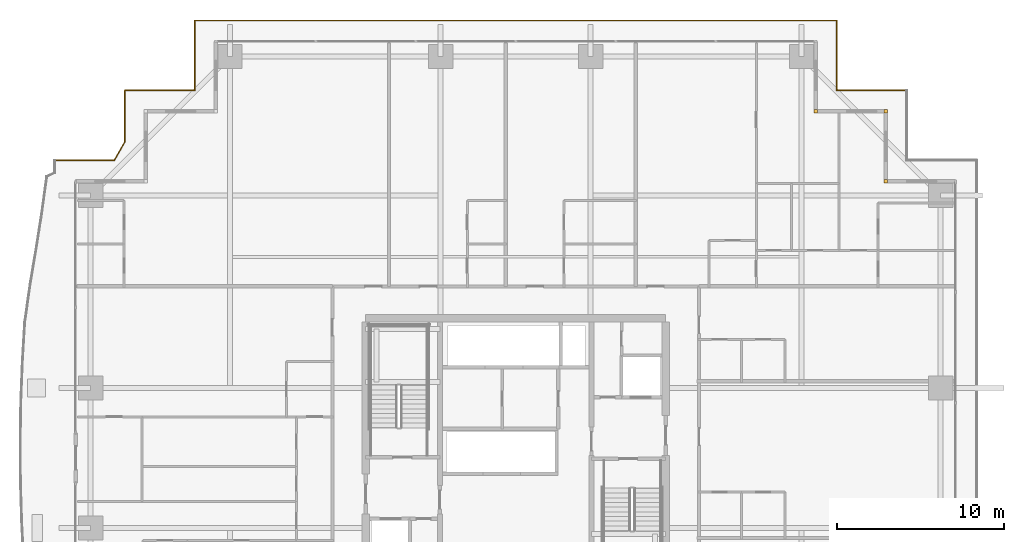
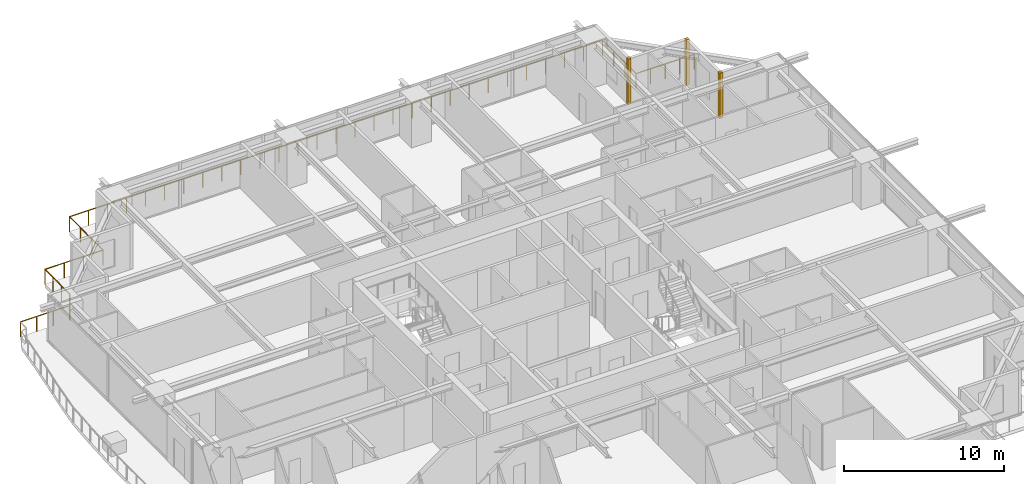
# One storey, part 40 of 40: 3 coverings, 1 railing.
"""IFC4 building model written with IfcOpenShell, lengths in metres."""

import ifcopenshell
import ifcopenshell.guid

model = None  # the IFC model being written
_history = None  # IfcOwnerHistory: only IFC2X3 demands one
_inside = {}  # id of a spatial element -> (the spatial element, [elements in it])
_under = {}  # id of a project, library or spatial element -> (it, [spatial elements below it])
_declared = {}  # id of a project -> (the project, [libraries it declares])
_typed = {}  # id of a type object -> (the type object, [elements of that type])
_made_of = {}  # id of a material, layer set ... -> (it, [elements and type objects made of it])


def new_model(schema):
    """Start an empty IFC model of exactly this schema.

    Asked for "IFC4X3", IfcOpenShell would pick the latest addendum, in which some entities
    have other attributes; the version numbers below select the first issue.
    IFC2X3 requires an IfcOwnerHistory on every rooted entity: one is made here for all.
    """
    global model, _history
    if schema == "IFC4X3":
        model = ifcopenshell.file(schema_version=(4, 3, 0, 0))
    else:
        model = ifcopenshell.file(schema=schema)
    _inside.clear()
    _under.clear()
    _declared.clear()
    _typed.clear()
    _made_of.clear()
    _history = None
    if model.schema == "IFC2X3":
        org = make("IfcOrganization", Name="unknown")
        user = make(
            "IfcPersonAndOrganization",
            ThePerson=make("IfcPerson", FamilyName="unknown"),
            TheOrganization=org,
        )
        app = make(
            "IfcApplication",
            ApplicationDeveloper=org,
            Version="unknown",
            ApplicationFullName="unknown",
            ApplicationIdentifier="unknown",
        )
        _history = make(
            "IfcOwnerHistory",
            OwningUser=user,
            OwningApplication=app,
            ChangeAction="ADDED",
            CreationDate=0,
        )
    return model


def make(cls, **values):
    """One entity of the class cls with the attributes given. An attribute that is None is left unset."""
    return model.create_entity(
        cls, **{name: value for name, value in values.items() if value is not None}
    )


def rooted(cls, **values):
    """An entity with a GlobalId (a new one), such as an element, a storey or a relation."""
    return make(cls, GlobalId=ifcopenshell.guid.new(), OwnerHistory=_history, **values)


def si_unit(unit_type, name, prefix=None):
    """IfcSIUnit, for example si_unit("LENGTHUNIT", "METRE", prefix="MILLI")."""
    return make("IfcSIUnit", UnitType=unit_type, Prefix=prefix, Name=name)


def assignment(units):
    """IfcUnitAssignment: the units of a project."""
    return None if units is None else make("IfcUnitAssignment", Units=units)


def point(xyz):
    """IfcCartesianPoint."""
    return None if xyz is None else make("IfcCartesianPoint", Coordinates=xyz)


def direction(xyz):
    """IfcDirection."""
    return None if xyz is None else make("IfcDirection", DirectionRatios=xyz)


def frame(location, z_axis=None, x_axis=None):
    """IfcAxis2Placement3D, a coordinate frame: its origin and axes. An axis left out is left unset."""
    return make(
        "IfcAxis2Placement3D",
        Location=point(location),
        Axis=direction(z_axis),
        RefDirection=direction(x_axis),
    )


def frame_2d(location, x_axis=None):
    """IfcAxis2Placement2D, a coordinate frame in the plane: its origin and x axis."""
    return make(
        "IfcAxis2Placement2D", Location=point(location), RefDirection=direction(x_axis)
    )


def origin():
    """The frame at (0, 0, 0) with its axes left unset."""
    return frame((0.0, 0.0, 0.0))


def origin_2d():
    """The frame at (0, 0) in the plane with its x axis left unset."""
    return frame_2d((0.0, 0.0))


def place(relative_to, where):
    """IfcLocalPlacement: puts the frame where relative to a parent placement (None: the world)."""
    return make(
        "IfcLocalPlacement", PlacementRelTo=relative_to, RelativePlacement=where
    )


def context(
    kind, dimensions, precision=None, world=None, true_north=None, identifier=None
):
    """IfcGeometricRepresentationContext, for example the 3D "Model" context."""
    return make(
        "IfcGeometricRepresentationContext",
        ContextIdentifier=identifier,
        ContextType=kind,
        CoordinateSpaceDimension=dimensions,
        Precision=precision,
        WorldCoordinateSystem=world,
        TrueNorth=true_north,
    )


def subcontext(parent, identifier, kind, view, scale=None):
    """IfcGeometricRepresentationSubContext, for example "Body" below "Model"."""
    return make(
        "IfcGeometricRepresentationSubContext",
        ContextIdentifier=identifier,
        ContextType=kind,
        ParentContext=parent,
        TargetScale=scale,
        TargetView=view,
    )


def project(units=None, contexts=None):
    """IfcProject with its units and contexts."""
    return rooted(
        "IfcProject",
        Name="project",
        RepresentationContexts=contexts,
        UnitsInContext=assignment(units),
    )


def spatial(cls, under=None, at=None, **own):
    """A site, building, storey or space (cls), placed at a placement, below another one or the project."""
    s = rooted(cls, ObjectPlacement=at, **own)
    if under is not None:
        _under.setdefault(under.id(), (under, []))[1].append(s)
    return s


def profile(cls, at=None, kind="AREA", **sizes):
    """A parametric profile (cls). Its sizes go by their IFC names, for example OverallWidth=200.0."""
    return make(cls, ProfileType=kind, Position=at, **sizes)


def rectangle(**sizes):
    """IfcRectangleProfileDef."""
    return profile("IfcRectangleProfileDef", **sizes)


def circle(**sizes):
    """IfcCircleProfileDef."""
    return profile("IfcCircleProfileDef", **sizes)


def extrude(swept, where, along, depth):
    """IfcExtrudedAreaSolid: the profile swept, set in the frame where, extruded along a direction by depth."""
    return make(
        "IfcExtrudedAreaSolid",
        SweptArea=swept,
        Position=where,
        ExtrudedDirection=direction(along),
        Depth=depth,
    )


def shape(context_of_items, identifier, shape_type, items):
    """IfcShapeRepresentation: the items that make up one representation, for example the "Body"."""
    return make(
        "IfcShapeRepresentation",
        ContextOfItems=context_of_items,
        RepresentationIdentifier=identifier,
        RepresentationType=shape_type,
        Items=items,
    )


def source(mapping_origin, context_of_items, identifier, shape_type, items):
    """IfcRepresentationMap: a shape defined once, which mapped items show again and again."""
    return make(
        "IfcRepresentationMap",
        MappingOrigin=mapping_origin,
        MappedRepresentation=shape(context_of_items, identifier, shape_type, items),
    )


def transform(
    local_origin,
    x_axis=None,
    y_axis=None,
    z_axis=None,
    scale=None,
    scale2=None,
    scale3=None,
    uniform=True,
):
    """IfcCartesianTransformationOperator3D, or its non-uniform kind. x_axis, y_axis, z_axis: its Axis1, 2, 3."""
    if uniform:
        return make(
            "IfcCartesianTransformationOperator3D",
            Axis1=direction(x_axis),
            Axis2=direction(y_axis),
            LocalOrigin=point(local_origin),
            Scale=scale,
            Axis3=direction(z_axis),
        )
    return make(
        "IfcCartesianTransformationOperator3DnonUniform",
        Axis1=direction(x_axis),
        Axis2=direction(y_axis),
        LocalOrigin=point(local_origin),
        Scale=scale,
        Axis3=direction(z_axis),
        Scale2=scale2,
        Scale3=scale3,
    )


def mapped(mapping_source, mapping_target):
    """IfcMappedItem: shows the shape of a source again, moved by a transform."""
    return make(
        "IfcMappedItem", MappingSource=mapping_source, MappingTarget=mapping_target
    )


def material(Name=None, Category=None):
    """IfcMaterial."""
    return make("IfcMaterial", Name=Name, Category=Category)


def layer(
    of_material, thickness, ventilated=None, Name=None, Category=None, Priority=None
):
    """IfcMaterialLayer: one layer of a wall or slab, of a material (None: an air gap)."""
    return make(
        "IfcMaterialLayer",
        Material=of_material,
        LayerThickness=thickness,
        IsVentilated=ventilated,
        Name=Name,
        Category=Category,
        Priority=Priority,
    )


def layer_set(layers, Name=None):
    """IfcMaterialLayerSet."""
    return make("IfcMaterialLayerSet", MaterialLayers=layers, LayerSetName=Name)


def made_of(thing, what):
    """Note that an element or type object is made of a material, layer set ...; save() writes the relation."""
    if what is not None:
        _made_of.setdefault(what.id(), (what, []))[1].append(thing)
    return thing


def type_object(cls, material=None, **own):
    """A type object (cls), such as IfcWallType, which elements share."""
    return made_of(rooted(cls, **own), material)


def element(
    cls,
    number,
    at=None,
    inside=None,
    cuts=None,
    type_object=None,
    material=None,
    context=None,
    identifier="Body",
    shape_type=None,
    held_by="IfcProductDefinitionShape",
    body=None,
    shapes=None,
    **own,
):
    """One element of the class cls, such as IfcWall. Its Tag is "e" and its number.

    at: its placement. inside: the storey or other place that contains it. cuts: it is an
    opening in that element (IfcRelVoidsElement). A single representation is given by context,
    identifier, shape_type and body (its items); several are given by shapes. held_by: the class
    of the entity that holds the representations. save() writes the other relations.
    """
    e = rooted(cls, Tag="e%d" % number, ObjectPlacement=at, **own)
    if body is not None:
        shapes = [shape(context, identifier, shape_type, body)]
    if shapes is not None:
        e.Representation = make(held_by, Representations=shapes)
    if inside is not None:
        _inside.setdefault(inside.id(), (inside, []))[1].append(e)
    if cuts is not None:
        rooted(
            "IfcRelVoidsElement", RelatingBuildingElement=cuts, RelatedOpeningElement=e
        )
    if type_object is not None:
        _typed.setdefault(type_object.id(), (type_object, []))[1].append(e)
    return made_of(e, material)


def aggregate(whole, parts):
    """IfcRelAggregates: a whole, such as a stair, and the parts it consists of."""
    return rooted("IfcRelAggregates", RelatingObject=whole, RelatedObjects=parts)


def save(model, path):
    """Write the relations noted so far, then the file.

    IfcRelAggregates (storeys below a building ...), IfcRelContainedInSpatialStructure (elements
    in a storey), IfcRelDefinesByType, IfcRelAssociatesMaterial and IfcRelDeclares: one each for
    every whole, place, type object, material and project.
    """
    for whole, parts in _under.values():
        aggregate(whole, parts)
    for where, things in _inside.values():
        rooted(
            "IfcRelContainedInSpatialStructure",
            RelatedElements=things,
            RelatingStructure=where,
        )
    for kind, things in _typed.values():
        rooted("IfcRelDefinesByType", RelatedObjects=things, RelatingType=kind)
    for what, things in _made_of.values():
        rooted("IfcRelAssociatesMaterial", RelatedObjects=things, RelatingMaterial=what)
    for by, libraries in _declared.values():
        rooted("IfcRelDeclares", RelatingContext=by, RelatedDefinitions=libraries)
    model.write(path)


model = new_model("IFC4")

# Units and contexts
model_context = context("Model", 3, precision=1e-05, world=origin(), true_north=direction((0.0, 1.0)))
body_context = subcontext(model_context, "Body", "Model", "MODEL_VIEW")
ifc_project = project(units=[si_unit("LENGTHUNIT", "METRE"), si_unit("AREAUNIT", "SQUARE_METRE"), si_unit("VOLUMEUNIT", "CUBIC_METRE"), si_unit("PLANEANGLEUNIT", "RADIAN"), si_unit("MASSUNIT", "GRAM", prefix="KILO")], contexts=[model_context])

# Site, building, storey
site_placement = place(None, origin())
site = spatial("IfcSite", under=ifc_project, at=site_placement, CompositionType="ELEMENT")
building_placement = place(site_placement, origin())
building = spatial("IfcBuilding", under=site, at=building_placement, Name="Serunith Strait Residences", CompositionType="ELEMENT")
storey_placement = place(building_placement, frame((0.0, 0.0, 90.449951171875)))
storey = spatial("IfcBuildingStorey", under=building, at=storey_placement, Name="L22", CompositionType="ELEMENT", Elevation=90.449951171875)

# Railing
ifc_material_1 = material(Name="Stainless Steel & Laminated Glass Balustrade", Category="steel")
railing_type = type_object("IfcRailingType", Name="RLG-BALC-1150", PredefinedType="BALUSTRADE", material=ifc_material_1)
railing_placement = place(storey_placement, frame((4.739990234375, 43.06005859375, -0.050048828125)))
element("IfcRailing", 1, at=railing_placement, inside=storey, type_object=railing_type, Name="L22 Swirling Balcony Perimeter Balustrade 4", PredefinedType="BALUSTRADE", context=body_context, shape_type="SweptSolid", body=[
    extrude(circle(Radius=0.02392578125, at=origin_2d()), frame((0.001953125, 0.0, 1.1259765625), z_axis=(1.0, 0.0, 0.0), x_axis=(0.0, 1.0, 0.0)), (0.0, 0.0, 1.0), 3.56298828125),
    extrude(circle(Radius=0.02392578125, at=origin_2d()), frame((3.56787109375, 0.001708984375, 1.1259765625), z_axis=(0.49810294941, 0.86711789959, 0.0), x_axis=(-0.86711789959, 0.49810294941, 0.0)), (0.0, 0.0, 1.0), 1.266845703125),
    extrude(circle(Radius=0.02392578125, at=origin_2d()), frame((4.199951171875, 1.10400390625, 1.1259765625), z_axis=(0.0, 1.0, 0.0), x_axis=(-1.0, 0.0, 0.0)), (0.0, 0.0, 1.0), 3.093994140625),
    extrude(circle(Radius=0.02392578125, at=origin_2d()), frame((4.201904296875, 4.199951171875, 1.1259765625), z_axis=(1.0, 0.0, 0.0), x_axis=(0.0, 1.0, 0.0)), (0.0, 0.0, 1.0), 4.196044921875),
    extrude(circle(Radius=0.02392578125, at=origin_2d()), frame((8.39990234375, 4.201904296875, 1.1259765625), z_axis=(0.0, 1.0, 0.0), x_axis=(-1.0, 0.0, 0.0)), (0.0, 0.0, 1.0), 4.196044921875),
    extrude(circle(Radius=0.02392578125, at=origin_2d()), frame((8.40185546875, 8.39990234375, 1.1259765625), z_axis=(1.0, 0.0, 0.0), x_axis=(0.0, 1.0, 0.0)), (0.0, 0.0, 1.0), 38.51611328125),
    extrude(circle(Radius=0.02392578125, at=origin_2d()), frame((46.919921875, 8.39794921875, 1.1259765625), z_axis=(0.0, -1.0, 0.0), x_axis=(1.0, 0.0, 0.0)), (0.0, 0.0, 1.0), 4.196044921875),
    extrude(circle(Radius=0.02392578125, at=origin_2d()), frame((46.921875, 4.199951171875, 1.1259765625), z_axis=(1.0, 0.0, 0.0), x_axis=(0.0, 1.0, 0.0)), (0.0, 0.0, 1.0), 4.1962890625),
    extrude(circle(Radius=0.02099609375, at=origin_2d()), origin(), (0.0, 0.0, 1.0), 1.099853515625),
    extrude(circle(Radius=0.02099609375, at=origin_2d()), frame((1.18896484375, 0.0, 0.0)), (0.0, 0.0, 1.0), 1.099853515625),
    extrude(circle(Radius=0.02099609375, at=origin_2d()), frame((2.3779296875, 0.0, 0.0)), (0.0, 0.0, 1.0), 1.099853515625),
    extrude(circle(Radius=0.02099609375, at=origin_2d()), frame((3.56689453125, 0.0, 0.0)), (0.0, 0.0, 1.0), 1.099853515625),
    extrude(circle(Radius=0.02099609375, at=origin_2d()), frame((4.199951171875, 1.10205078125, 0.0)), (0.0, 0.0, 1.0), 1.099853515625),
    extrude(circle(Radius=0.02099609375, at=origin_2d()), frame((4.199951171875, 2.134765625, 0.0)), (0.0, 0.0, 1.0), 1.099853515625),
    extrude(circle(Radius=0.02099609375, at=origin_2d()), frame((4.199951171875, 3.167236328125, 0.0)), (0.0, 0.0, 1.0), 1.099853515625),
    extrude(circle(Radius=0.02099609375, at=origin_2d()), frame((4.199951171875, 4.199951171875, 0.0)), (0.0, 0.0, 1.0), 1.099853515625),
    extrude(circle(Radius=0.02099609375, at=origin_2d()), frame((5.599853515625, 4.199951171875, 0.0)), (0.0, 0.0, 1.0), 1.099853515625),
    extrude(circle(Radius=0.02099609375, at=origin_2d()), frame((7.0, 4.199951171875, 0.0)), (0.0, 0.0, 1.0), 1.099853515625),
    extrude(circle(Radius=0.02099609375, at=origin_2d()), frame((8.39990234375, 4.199951171875, 0.0)), (0.0, 0.0, 1.0), 1.099853515625),
    extrude(circle(Radius=0.02099609375, at=origin_2d()), frame((8.39990234375, 5.599853515625, 0.0)), (0.0, 0.0, 1.0), 1.099853515625),
    extrude(circle(Radius=0.02099609375, at=origin_2d()), frame((8.39990234375, 7.0, 0.0)), (0.0, 0.0, 1.0), 1.099853515625),
    extrude(circle(Radius=0.02099609375, at=origin_2d()), frame((8.39990234375, 8.39990234375, 0.0)), (0.0, 0.0, 1.0), 1.099853515625),
    extrude(circle(Radius=0.02099609375, at=origin_2d()), frame((9.775634765625, 8.39990234375, 0.0)), (0.0, 0.0, 1.0), 1.099853515625),
    extrude(circle(Radius=0.02099609375, at=origin_2d()), frame((11.1513671875, 8.39990234375, 0.0)), (0.0, 0.0, 1.0), 1.099853515625),
    extrude(circle(Radius=0.02099609375, at=origin_2d()), frame((12.527099609375, 8.39990234375, 0.0)), (0.0, 0.0, 1.0), 1.099853515625),
    extrude(circle(Radius=0.02099609375, at=origin_2d()), frame((13.90283203125, 8.39990234375, 0.0)), (0.0, 0.0, 1.0), 1.099853515625),
    extrude(circle(Radius=0.02099609375, at=origin_2d()), frame((15.278564453125, 8.39990234375, 0.0)), (0.0, 0.0, 1.0), 1.099853515625),
    extrude(circle(Radius=0.02099609375, at=origin_2d()), frame((16.654296875, 8.39990234375, 0.0)), (0.0, 0.0, 1.0), 1.099853515625),
    extrude(circle(Radius=0.02099609375, at=origin_2d()), frame((18.02978515625, 8.39990234375, 0.0)), (0.0, 0.0, 1.0), 1.099853515625),
    extrude(circle(Radius=0.02099609375, at=origin_2d()), frame((19.405517578125, 8.39990234375, 0.0)), (0.0, 0.0, 1.0), 1.099853515625),
    extrude(circle(Radius=0.02099609375, at=origin_2d()), frame((20.78125, 8.39990234375, 0.0)), (0.0, 0.0, 1.0), 1.099853515625),
    extrude(circle(Radius=0.02099609375, at=origin_2d()), frame((22.156982421875, 8.39990234375, 0.0)), (0.0, 0.0, 1.0), 1.099853515625),
    extrude(circle(Radius=0.02099609375, at=origin_2d()), frame((23.53271484375, 8.39990234375, 0.0)), (0.0, 0.0, 1.0), 1.099853515625),
    extrude(circle(Radius=0.02099609375, at=origin_2d()), frame((24.908447265625, 8.39990234375, 0.0)), (0.0, 0.0, 1.0), 1.099853515625),
    extrude(circle(Radius=0.02099609375, at=origin_2d()), frame((26.2841796875, 8.39990234375, 0.0)), (0.0, 0.0, 1.0), 1.099853515625),
    extrude(circle(Radius=0.02099609375, at=origin_2d()), frame((27.659912109375, 8.39990234375, 0.0)), (0.0, 0.0, 1.0), 1.099853515625),
    extrude(circle(Radius=0.02099609375, at=origin_2d()), frame((29.03564453125, 8.39990234375, 0.0)), (0.0, 0.0, 1.0), 1.099853515625),
    extrude(circle(Radius=0.02099609375, at=origin_2d()), frame((30.411376953125, 8.39990234375, 0.0)), (0.0, 0.0, 1.0), 1.099853515625),
    extrude(circle(Radius=0.02099609375, at=origin_2d()), frame((31.787109375, 8.39990234375, 0.0)), (0.0, 0.0, 1.0), 1.099853515625),
    extrude(circle(Radius=0.02099609375, at=origin_2d()), frame((33.162841796875, 8.39990234375, 0.0)), (0.0, 0.0, 1.0), 1.099853515625),
    extrude(circle(Radius=0.02099609375, at=origin_2d()), frame((34.53857421875, 8.39990234375, 0.0)), (0.0, 0.0, 1.0), 1.099853515625),
    extrude(circle(Radius=0.02099609375, at=origin_2d()), frame((35.914306640625, 8.39990234375, 0.0)), (0.0, 0.0, 1.0), 1.099853515625),
    extrude(circle(Radius=0.02099609375, at=origin_2d()), frame((37.2900390625, 8.39990234375, 0.0)), (0.0, 0.0, 1.0), 1.099853515625),
    extrude(circle(Radius=0.02099609375, at=origin_2d()), frame((38.66552734375, 8.39990234375, 0.0)), (0.0, 0.0, 1.0), 1.099853515625),
    extrude(circle(Radius=0.02099609375, at=origin_2d()), frame((40.041259765625, 8.39990234375, 0.0)), (0.0, 0.0, 1.0), 1.099853515625),
    extrude(circle(Radius=0.02099609375, at=origin_2d()), frame((41.4169921875, 8.39990234375, 0.0)), (0.0, 0.0, 1.0), 1.099853515625),
    extrude(circle(Radius=0.02099609375, at=origin_2d()), frame((42.792724609375, 8.39990234375, 0.0)), (0.0, 0.0, 1.0), 1.099853515625),
    extrude(circle(Radius=0.02099609375, at=origin_2d()), frame((44.16845703125, 8.39990234375, 0.0)), (0.0, 0.0, 1.0), 1.099853515625),
    extrude(circle(Radius=0.02099609375, at=origin_2d()), frame((45.544189453125, 8.39990234375, 0.0)), (0.0, 0.0, 1.0), 1.099853515625),
    extrude(circle(Radius=0.02099609375, at=origin_2d()), frame((46.919921875, 8.39990234375, 0.0)), (0.0, 0.0, 1.0), 1.099853515625),
    extrude(circle(Radius=0.02099609375, at=origin_2d()), frame((46.919921875, 7.0, 0.0)), (0.0, 0.0, 1.0), 1.099853515625),
    extrude(circle(Radius=0.02099609375, at=origin_2d()), frame((46.919921875, 5.599853515625, 0.0)), (0.0, 0.0, 1.0), 1.099853515625),
    extrude(circle(Radius=0.02099609375, at=origin_2d()), frame((46.919921875, 4.199951171875, 0.0)), (0.0, 0.0, 1.0), 1.099853515625),
    extrude(circle(Radius=0.02099609375, at=origin_2d()), frame((47.969970703125, 4.199951171875, 0.0)), (0.0, 0.0, 1.0), 1.099853515625),
    extrude(circle(Radius=0.02099609375, at=origin_2d()), frame((49.02001953125, 4.199951171875, 0.0)), (0.0, 0.0, 1.0), 1.099853515625),
    extrude(circle(Radius=0.02099609375, at=origin_2d()), frame((50.070068359375, 4.199951171875, 0.0)), (0.0, 0.0, 1.0), 1.099853515625),
    extrude(circle(Radius=0.02099609375, at=origin_2d()), frame((51.1201171875, 4.199951171875, 0.0)), (0.0, 0.0, 1.0), 1.099853515625),
])

# Coverings
ifc_material_2 = material(Name="Pale-Champagne Anodised Aluminium", Category="aluminium")
ifc_layer = layer(ifc_material_2, 0.219970703125, Name="Pale-Champagne Anodised Aluminium")
ifc_layer_set = layer_set([ifc_layer], Name="Pale-Champagne Anodised Aluminium")
covering_type = type_object("IfcCoveringType", Name="COV-CORN-TRIM", PredefinedType="CLADDING", material=ifc_layer_set)
shared_shape = source(origin(), body_context, "Body", "SweptSolid", [
    extrude(rectangle(XDim=0.221923828125, YDim=0.221923828125, at=origin_2d()), origin(), (0.0, 0.0, 1.0), 3.47509765625),
])
for number, where, z_axis, x_axis, name in (
    (2, (54.60009765625, 41.800048828125, 0.0), (0.0, 0.0, 1.0), (1.0, 0.0, 0.0), "L22 Girih Serrated Corner Trim Post 07"),
    (3, (54.60009765625, 46.0, 0.0), (0.0, 0.0, 1.0), (1.0, 0.0, 0.0), "L22 Girih Serrated Corner Trim Post 08"),
    (4, (50.39990234375, 46.0, 0.0), (0.0, 0.0, 1.0), (1.0, 0.0, 0.0), "L22 Girih Serrated Corner Trim Post 09"),
):
    element("IfcCovering", number, at=place(storey_placement, frame(where, z_axis=z_axis, x_axis=x_axis)), inside=storey, type_object=covering_type, Name=name, PredefinedType="CLADDING", context=body_context, shape_type="MappedRepresentation", body=[
        mapped(shared_shape, transform((0.0, 0.0, 0.0), scale=1.0)),
    ])

save(model, "model.ifc")
